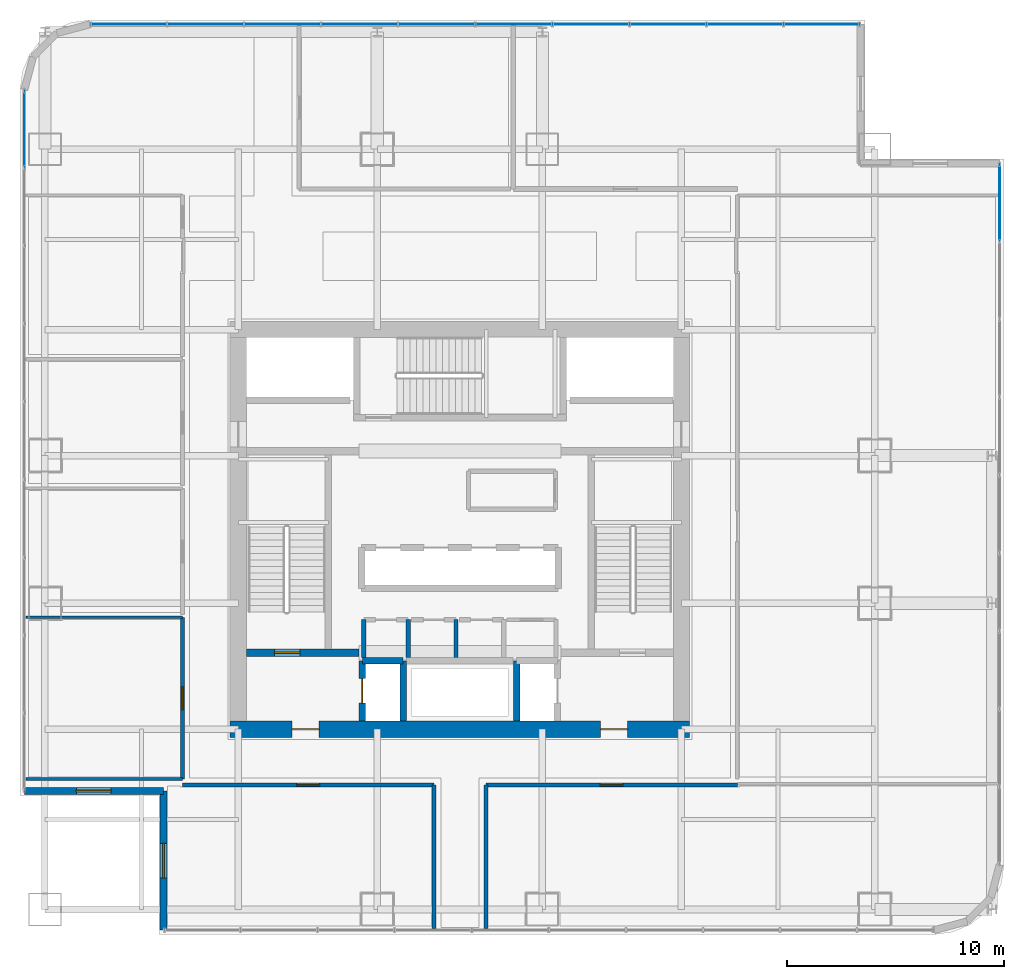
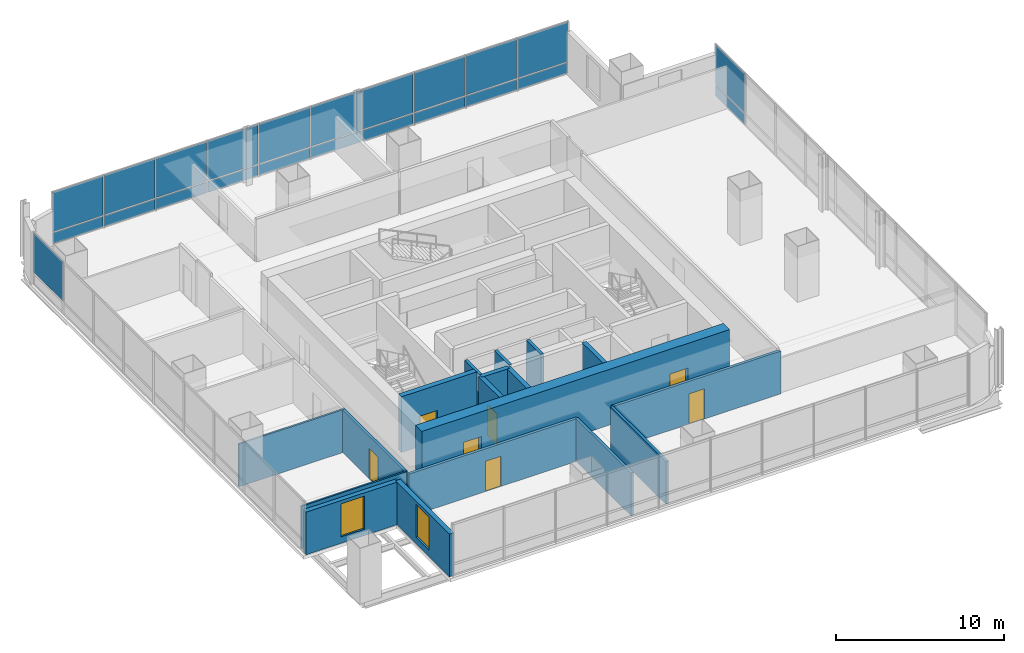
# One storey, part 27 of 34: 23 plates, 18 walls, 7 doors, 2 windows, 9 openings, 3 elements without a shape of their own.
"""IFC4 building model written with IfcOpenShell, lengths in metres."""

from ifc_helpers import new_model, si_unit, direction, frame, frame_2d, origin, origin_2d, place, context, subcontext, project, spatial, rectangle, extrude, material, layer, layer_set, type_object, element, fill, aggregate, save


model = new_model("IFC4")

# Units and contexts
model_context = context("Model", 3, precision=1e-05, world=origin(), true_north=direction((0.0, 1.0)))
body_context = subcontext(model_context, "Body", "Model", "MODEL_VIEW")
ifc_project = project(units=[si_unit("LENGTHUNIT", "METRE"), si_unit("AREAUNIT", "SQUARE_METRE"), si_unit("VOLUMEUNIT", "CUBIC_METRE"), si_unit("PLANEANGLEUNIT", "RADIAN"), si_unit("MASSUNIT", "GRAM", prefix="KILO")], contexts=[model_context])

# Site, building, storey
site_placement = place(None, origin())
site = spatial("IfcSite", under=ifc_project, at=site_placement, CompositionType="ELEMENT")
building_placement = place(site_placement, origin())
building = spatial("IfcBuilding", under=site, at=building_placement, Name="Punatoya Terracotta Tower", CompositionType="ELEMENT")
storey_placement = place(building_placement, frame((0.0, 0.0, 117.300048828125)))
storey = spatial("IfcBuildingStorey", under=building, at=storey_placement, Name="L27", CompositionType="ELEMENT", Elevation=117.300048828125)

# Curtain wall, plate
ifc_material_1 = material(Name="Aluminium 6063-T6 + Double Low-E Glass", Category="aluminium")
curtain_wall_type = type_object("IfcCurtainWallType", Name="CW-M1", PredefinedType="NOTDEFINED", material=ifc_material_1)
curtain_wall_1_placement = place(storey_placement, origin())
curtain_wall_1 = element("IfcCurtainWall", 1, at=curtain_wall_1_placement, inside=storey, type_object=curtain_wall_type, Name="L27 Curtain Wall CW-L27-E05-1", PredefinedType="NOTDEFINED")
ifc_material_2 = material(Name="Double Low-E Clear Vision Glass", Category="glass")
ifc_layer_1 = layer(ifc_material_2, 0.028076171875)
ifc_layer_set_1 = layer_set([ifc_layer_1], Name="Double Low-E Clear Vision Glass")
plate_type_1 = type_object("IfcPlateType", Name="PLT-GLZ-28", PredefinedType="CURTAIN_PANEL", material=ifc_layer_set_1)
plate_1_placement = place(storey_placement, frame((24.85009765625, 15.056396484375, 0.889892578125), z_axis=(0.0, 0.0, 1.0), x_axis=(0.0, 1.0, 0.0)))
plate_1 = element("IfcPlate", 2, at=plate_1_placement, type_object=plate_type_1, Name="CW-L27-E05-1 Vision Glass Panel 9", PredefinedType="CURTAIN_PANEL", context=body_context, shape_type="SweptSolid", body=[
    extrude(rectangle(XDim=3.50244140625, YDim=0.028076171875, at=origin_2d()), origin(), (0.0, 0.0, 1.0), 2.8798828125),
])

# Curtain wall, plates
curtain_wall_2_placement = place(storey_placement, origin())
curtain_wall_2 = element("IfcCurtainWall", 3, at=curtain_wall_2_placement, inside=storey, type_object=curtain_wall_type, Name="L27 Curtain Wall CW-L27-N08-1", PredefinedType="NOTDEFINED")
plate_2_placement = place(storey_placement, frame((16.67578125, 23.25, 0.889892578125), z_axis=(0.0, 0.0, 1.0), x_axis=(-1.0, 0.0, 0.0)))
plate_2 = element("IfcPlate", 4, at=plate_2_placement, type_object=plate_type_1, Name="CW-L27-N08-1 Vision Glass Panel 1", PredefinedType="CURTAIN_PANEL", context=body_context, shape_type="SweptSolid", body=[
    extrude(rectangle(XDim=3.463623046875, YDim=0.028076171875, at=origin_2d()), origin(), (0.0, 0.0, 1.0), 2.8798828125),
])
plate_3_placement = place(storey_placement, frame((13.126953125, 23.25, 0.889892578125), z_axis=(0.0, 0.0, 1.0), x_axis=(-1.0, 0.0, 0.0)))
plate_3 = element("IfcPlate", 5, at=plate_3_placement, type_object=plate_type_1, Name="CW-L27-N08-1 Vision Glass Panel 2", PredefinedType="CURTAIN_PANEL", context=body_context, shape_type="SweptSolid", body=[
    extrude(rectangle(XDim=3.463623046875, YDim=0.028076171875, at=origin_2d()), origin(), (0.0, 0.0, 1.0), 2.8798828125),
])
plate_4_placement = place(storey_placement, frame((9.578369140625, 23.25, 0.889892578125), z_axis=(0.0, 0.0, 1.0), x_axis=(-1.0, 0.0, 0.0)))
plate_4 = element("IfcPlate", 6, at=plate_4_placement, type_object=plate_type_1, Name="CW-L27-N08-1 Vision Glass Panel 3", PredefinedType="CURTAIN_PANEL", context=body_context, shape_type="SweptSolid", body=[
    extrude(rectangle(XDim=3.463623046875, YDim=0.028076171875, at=origin_2d()), origin(), (0.0, 0.0, 1.0), 2.8798828125),
])
plate_5_placement = place(storey_placement, frame((6.029541015625, 23.25, 0.889892578125), z_axis=(0.0, 0.0, 1.0), x_axis=(-1.0, 0.0, 0.0)))
plate_5 = element("IfcPlate", 7, at=plate_5_placement, type_object=plate_type_1, Name="CW-L27-N08-1 Vision Glass Panel 4", PredefinedType="CURTAIN_PANEL", context=body_context, shape_type="SweptSolid", body=[
    extrude(rectangle(XDim=3.463623046875, YDim=0.028076171875, at=origin_2d()), origin(), (0.0, 0.0, 1.0), 2.8798828125),
])
plate_6_placement = place(storey_placement, frame((2.48095703125, 23.25, 0.889892578125), z_axis=(0.0, 0.0, 1.0), x_axis=(-1.0, 0.0, 0.0)))
plate_6 = element("IfcPlate", 8, at=plate_6_placement, type_object=plate_type_1, Name="CW-L27-N08-1 Vision Glass Panel 5", PredefinedType="CURTAIN_PANEL", context=body_context, shape_type="SweptSolid", body=[
    extrude(rectangle(XDim=3.463623046875, YDim=0.028076171875, at=origin_2d()), origin(), (0.0, 0.0, 1.0), 2.8798828125),
])
plate_7_placement = place(storey_placement, frame((-1.06787109375, 23.25, 0.889892578125), z_axis=(0.0, 0.0, 1.0), x_axis=(-1.0, 0.0, 0.0)))
plate_7 = element("IfcPlate", 9, at=plate_7_placement, type_object=plate_type_1, Name="CW-L27-N08-1 Vision Glass Panel 6", PredefinedType="CURTAIN_PANEL", context=body_context, shape_type="SweptSolid", body=[
    extrude(rectangle(XDim=3.463623046875, YDim=0.028076171875, at=origin_2d()), origin(), (0.0, 0.0, 1.0), 2.8798828125),
])
plate_8_placement = place(storey_placement, frame((-4.616455078125, 23.25, 0.889892578125), z_axis=(0.0, 0.0, 1.0), x_axis=(-1.0, 0.0, 0.0)))
plate_8 = element("IfcPlate", 10, at=plate_8_placement, type_object=plate_type_1, Name="CW-L27-N08-1 Vision Glass Panel 7", PredefinedType="CURTAIN_PANEL", context=body_context, shape_type="SweptSolid", body=[
    extrude(rectangle(XDim=3.463623046875, YDim=0.028076171875, at=origin_2d()), origin(), (0.0, 0.0, 1.0), 2.8798828125),
])
plate_9_placement = place(storey_placement, frame((-8.165283203125, 23.25, 0.889892578125), z_axis=(0.0, 0.0, 1.0), x_axis=(-1.0, 0.0, 0.0)))
plate_9 = element("IfcPlate", 11, at=plate_9_placement, type_object=plate_type_1, Name="CW-L27-N08-1 Vision Glass Panel 8", PredefinedType="CURTAIN_PANEL", context=body_context, shape_type="SweptSolid", body=[
    extrude(rectangle(XDim=3.463623046875, YDim=0.028076171875, at=origin_2d()), origin(), (0.0, 0.0, 1.0), 2.8798828125),
])
plate_10_placement = place(storey_placement, frame((-11.7138671875, 23.25, 0.889892578125), z_axis=(0.0, 0.0, 1.0), x_axis=(-1.0, 0.0, 0.0)))
plate_10 = element("IfcPlate", 12, at=plate_10_placement, type_object=plate_type_1, Name="CW-L27-N08-1 Vision Glass Panel 9", PredefinedType="CURTAIN_PANEL", context=body_context, shape_type="SweptSolid", body=[
    extrude(rectangle(XDim=3.463623046875, YDim=0.028076171875, at=origin_2d()), origin(), (0.0, 0.0, 1.0), 2.8798828125),
])
plate_11_placement = place(storey_placement, frame((-15.2626953125, 23.25, 0.889892578125), z_axis=(0.0, 0.0, 1.0), x_axis=(-1.0, 0.0, 0.0)))
plate_11 = element("IfcPlate", 13, at=plate_11_placement, type_object=plate_type_1, Name="CW-L27-N08-1 Vision Glass Panel 10", PredefinedType="CURTAIN_PANEL", context=body_context, shape_type="SweptSolid", body=[
    extrude(rectangle(XDim=3.463623046875, YDim=0.028076171875, at=origin_2d()), origin(), (0.0, 0.0, 1.0), 2.8798828125),
])

# Curtain wall, plate
curtain_wall_3_placement = place(storey_placement, origin())
curtain_wall_3 = element("IfcCurtainWall", 14, at=curtain_wall_3_placement, inside=storey, type_object=curtain_wall_type, Name="L27 Curtain Wall CW-L27-W12-1", PredefinedType="NOTDEFINED")
plate_12_placement = place(storey_placement, frame((-20.050048828125, 18.443115234375, 0.889892578125), z_axis=(0.0, 0.0, 1.0), x_axis=(0.0, -1.0, 0.0)))
plate_12 = element("IfcPlate", 15, at=plate_12_placement, type_object=plate_type_1, Name="CW-L27-W12-1 Vision Glass Panel 1", PredefinedType="CURTAIN_PANEL", context=body_context, shape_type="SweptSolid", body=[
    extrude(rectangle(XDim=3.50244140625, YDim=0.028076171875, at=origin_2d()), origin(), (0.0, 0.0, 1.0), 2.8798828125),
])
aggregate(curtain_wall_3, [plate_12])

# Plate
ifc_material_3 = material(Name="Insulated Terracotta-Backed Spandrel Panel", Category="masonry")
ifc_layer_2 = layer(ifc_material_3, 0.044921875)
ifc_layer_set_2 = layer_set([ifc_layer_2], Name="Insulated Terracotta-Backed Spandrel Panel")
plate_type_2 = type_object("IfcPlateType", Name="PLT-SPN-45", PredefinedType="CURTAIN_PANEL", material=ifc_layer_set_2)
plate_13_placement = place(storey_placement, frame((24.85009765625, 15.056396484375, 0.0400390625), z_axis=(0.0, 0.0, 1.0), x_axis=(0.0, 1.0, 0.0)))
plate_13 = element("IfcPlate", 16, at=plate_13_placement, type_object=plate_type_2, Name="CW-L27-E05-1 Terracotta Spandrel Panel 9", PredefinedType="CURTAIN_PANEL", context=body_context, shape_type="SweptSolid", body=[
    extrude(rectangle(XDim=3.50244140625, YDim=0.044921875, at=origin_2d()), origin(), (0.0, 0.0, 1.0), 0.77490234375),
])

aggregate(curtain_wall_1, [plate_13, plate_1])

plate_14_placement = place(storey_placement, frame((16.67578125, 23.25, 0.0400390625), z_axis=(0.0, 0.0, 1.0), x_axis=(-1.0, 0.0, 0.0)))
plate_14 = element("IfcPlate", 17, at=plate_14_placement, type_object=plate_type_2, Name="CW-L27-N08-1 Terracotta Spandrel Panel 1", PredefinedType="CURTAIN_PANEL", context=body_context, shape_type="SweptSolid", body=[
    extrude(rectangle(XDim=3.463623046875, YDim=0.044921875, at=origin_2d()), origin(), (0.0, 0.0, 1.0), 0.77490234375),
])

plate_15_placement = place(storey_placement, frame((13.126953125, 23.25, 0.0400390625), z_axis=(0.0, 0.0, 1.0), x_axis=(-1.0, 0.0, 0.0)))
plate_15 = element("IfcPlate", 18, at=plate_15_placement, type_object=plate_type_2, Name="CW-L27-N08-1 Terracotta Spandrel Panel 2", PredefinedType="CURTAIN_PANEL", context=body_context, shape_type="SweptSolid", body=[
    extrude(rectangle(XDim=3.463623046875, YDim=0.044921875, at=origin_2d()), origin(), (0.0, 0.0, 1.0), 0.77490234375),
])

plate_16_placement = place(storey_placement, frame((9.578369140625, 23.25, 0.0400390625), z_axis=(0.0, 0.0, 1.0), x_axis=(-1.0, 0.0, 0.0)))
plate_16 = element("IfcPlate", 19, at=plate_16_placement, type_object=plate_type_2, Name="CW-L27-N08-1 Terracotta Spandrel Panel 3", PredefinedType="CURTAIN_PANEL", context=body_context, shape_type="SweptSolid", body=[
    extrude(rectangle(XDim=3.463623046875, YDim=0.044921875, at=origin_2d()), origin(), (0.0, 0.0, 1.0), 0.77490234375),
])

plate_17_placement = place(storey_placement, frame((6.029541015625, 23.25, 0.0400390625), z_axis=(0.0, 0.0, 1.0), x_axis=(-1.0, 0.0, 0.0)))
plate_17 = element("IfcPlate", 20, at=plate_17_placement, type_object=plate_type_2, Name="CW-L27-N08-1 Terracotta Spandrel Panel 4", PredefinedType="CURTAIN_PANEL", context=body_context, shape_type="SweptSolid", body=[
    extrude(rectangle(XDim=3.463623046875, YDim=0.044921875, at=origin_2d()), origin(), (0.0, 0.0, 1.0), 0.77490234375),
])

plate_18_placement = place(storey_placement, frame((2.48095703125, 23.25, 0.0400390625), z_axis=(0.0, 0.0, 1.0), x_axis=(-1.0, 0.0, 0.0)))
plate_18 = element("IfcPlate", 21, at=plate_18_placement, type_object=plate_type_2, Name="CW-L27-N08-1 Terracotta Spandrel Panel 5", PredefinedType="CURTAIN_PANEL", context=body_context, shape_type="SweptSolid", body=[
    extrude(rectangle(XDim=3.463623046875, YDim=0.044921875, at=origin_2d()), origin(), (0.0, 0.0, 1.0), 0.77490234375),
])

plate_19_placement = place(storey_placement, frame((-1.06787109375, 23.25, 0.0400390625), z_axis=(0.0, 0.0, 1.0), x_axis=(-1.0, 0.0, 0.0)))
plate_19 = element("IfcPlate", 22, at=plate_19_placement, type_object=plate_type_2, Name="CW-L27-N08-1 Terracotta Spandrel Panel 6", PredefinedType="CURTAIN_PANEL", context=body_context, shape_type="SweptSolid", body=[
    extrude(rectangle(XDim=3.463623046875, YDim=0.044921875, at=origin_2d()), origin(), (0.0, 0.0, 1.0), 0.77490234375),
])

plate_20_placement = place(storey_placement, frame((-4.616455078125, 23.25, 0.0400390625), z_axis=(0.0, 0.0, 1.0), x_axis=(-1.0, 0.0, 0.0)))
plate_20 = element("IfcPlate", 23, at=plate_20_placement, type_object=plate_type_2, Name="CW-L27-N08-1 Terracotta Spandrel Panel 7", PredefinedType="CURTAIN_PANEL", context=body_context, shape_type="SweptSolid", body=[
    extrude(rectangle(XDim=3.463623046875, YDim=0.044921875, at=origin_2d()), origin(), (0.0, 0.0, 1.0), 0.77490234375),
])

plate_21_placement = place(storey_placement, frame((-8.165283203125, 23.25, 0.0400390625), z_axis=(0.0, 0.0, 1.0), x_axis=(-1.0, 0.0, 0.0)))
plate_21 = element("IfcPlate", 24, at=plate_21_placement, type_object=plate_type_2, Name="CW-L27-N08-1 Terracotta Spandrel Panel 8", PredefinedType="CURTAIN_PANEL", context=body_context, shape_type="SweptSolid", body=[
    extrude(rectangle(XDim=3.463623046875, YDim=0.044921875, at=origin_2d()), origin(), (0.0, 0.0, 1.0), 0.77490234375),
])

plate_22_placement = place(storey_placement, frame((-11.7138671875, 23.25, 0.0400390625), z_axis=(0.0, 0.0, 1.0), x_axis=(-1.0, 0.0, 0.0)))
plate_22 = element("IfcPlate", 25, at=plate_22_placement, type_object=plate_type_2, Name="CW-L27-N08-1 Terracotta Spandrel Panel 9", PredefinedType="CURTAIN_PANEL", context=body_context, shape_type="SweptSolid", body=[
    extrude(rectangle(XDim=3.463623046875, YDim=0.044921875, at=origin_2d()), origin(), (0.0, 0.0, 1.0), 0.77490234375),
])

plate_23_placement = place(storey_placement, frame((-15.2626953125, 23.25, 0.0400390625), z_axis=(0.0, 0.0, 1.0), x_axis=(-1.0, 0.0, 0.0)))
plate_23 = element("IfcPlate", 26, at=plate_23_placement, type_object=plate_type_2, Name="CW-L27-N08-1 Terracotta Spandrel Panel 10", PredefinedType="CURTAIN_PANEL", context=body_context, shape_type="SweptSolid", body=[
    extrude(rectangle(XDim=3.463623046875, YDim=0.044921875, at=origin_2d()), origin(), (0.0, 0.0, 1.0), 0.77490234375),
])

aggregate(curtain_wall_2, [plate_14, plate_2, plate_15, plate_3, plate_16, plate_4, plate_17, plate_5, plate_18, plate_6, plate_19, plate_7, plate_20, plate_8, plate_21, plate_9, plate_22, plate_10, plate_23, plate_11])

# Wall, openings, doors
ifc_material_4 = material(Name="Concrete C60/75", Category="concrete")
ifc_layer_3 = layer(ifc_material_4, 0.75)
ifc_layer_set_3 = layer_set([ifc_layer_3], Name="Concrete C60/75")
wall_type_1 = type_object("IfcWallType", Name="WL-COR-750", PredefinedType="SHEAR", material=ifc_layer_set_3)
wall_1_placement = place(storey_placement, frame((10.574951171875, -9.199951171875, 0.0), z_axis=(0.0, 0.0, 1.0), x_axis=(-1.0, 0.0, 0.0)))
wall_1 = element("IfcWall", 27, at=wall_1_placement, inside=storey, type_object=wall_type_1, Name="L27 Core Shear Wall S", PredefinedType="SHEAR", context=body_context, shape_type="SweptSolid", body=[
    extrude(rectangle(XDim=21.14990234375, YDim=0.75, at=frame_2d((10.574951171875, 0.0))), origin(), (0.0, 0.0, 1.0), 4.050048828125),
])
opening_1_placement = place(wall_1_placement, frame((2.85009765625, 0.0, 0.0)))
opening_1 = element("IfcOpeningElement", 28, at=opening_1_placement, cuts=wall_1, Name="Opening FD-L1", PredefinedType="OPENING", context=body_context, shape_type="SweptSolid", body=[
    extrude(rectangle(XDim=1.25, YDim=2.25, at=frame_2d((0.625, 1.125))), frame((0.0, 0.385009765625, 0.0), z_axis=(0.0, -1.0, 0.0), x_axis=(1.0, 0.0, 0.0)), (0.0, 0.0, 1.0), 0.77001953125),
])
opening_2_placement = place(wall_1_placement, frame((17.050048828125, 0.0, 0.0)))
opening_2 = element("IfcOpeningElement", 29, at=opening_2_placement, cuts=wall_1, Name="Opening FD-L1", PredefinedType="OPENING", context=body_context, shape_type="SweptSolid", body=[
    extrude(rectangle(XDim=1.25, YDim=2.25, at=frame_2d((0.625, 1.125))), frame((0.0, 0.385009765625, 0.0), z_axis=(0.0, -1.0, 0.0), x_axis=(1.0, 0.0, 0.0)), (0.0, 0.0, 1.0), 0.77001953125),
])
ifc_material_5 = material(Name="Galvanised Steel Smokeproof Fire Door", Category="steel")
door_type_1 = type_object("IfcDoorType", Name="DR-FFL-1250", OperationType="NOTDEFINED", PredefinedType="DOOR", material=ifc_material_5)
door_1_placement = place(opening_1_placement, origin())
door_1 = element("IfcDoor", 30, at=door_1_placement, inside=storey, type_object=door_type_1, Name="L27 East Firefighting Lobby Corridor Fire Door", OperationType="SINGLE_SWING_LEFT", OverallHeight=2.25, OverallWidth=1.25, PredefinedType="DOOR", context=body_context, shape_type="SweptSolid", body=[
    extrude(rectangle(XDim=1.25, YDim=2.25, at=frame_2d((0.625, 1.125))), frame((0.0, 0.02490234375, 0.0), z_axis=(0.0, -1.0, 0.0), x_axis=(1.0, 0.0, 0.0)), (0.0, 0.0, 1.0), 0.050048828125),
])
fill(opening_1, door_1)
door_2_placement = place(opening_2_placement, origin())
door_2 = element("IfcDoor", 31, at=door_2_placement, inside=storey, type_object=door_type_1, Name="L27 West Firefighting Lobby Corridor Fire Door", OperationType="SINGLE_SWING_RIGHT", OverallHeight=2.25, OverallWidth=1.25, PredefinedType="DOOR", context=body_context, shape_type="SweptSolid", body=[
    extrude(rectangle(XDim=1.25, YDim=2.25, at=frame_2d((0.625, 1.125))), frame((0.0, 0.02490234375, 0.0), z_axis=(0.0, -1.0, 0.0), x_axis=(1.0, 0.0, 0.0)), (0.0, 0.0, 1.0), 0.050048828125),
])
fill(opening_2, door_2)

# Wall, opening, door
ifc_material_6 = material(Name="Gypsum Fireboard + Steel Stud", Category="steel")
ifc_layer_4 = layer(ifc_material_6, 0.179931640625)
ifc_layer_set_4 = layer_set([ifc_layer_4], Name="Gypsum Fireboard + Steel Stud")
wall_type_2 = type_object("IfcWallType", Name="WL-CORR-180", PredefinedType="PARTITIONING", material=ifc_layer_set_4)
wall_2_placement = place(storey_placement, frame((-12.77001953125, -11.77001953125, 0.0), z_axis=(0.0, 0.0, 1.0), x_axis=(1.0, 0.0, 0.0)))
wall_2 = element("IfcWall", 32, at=wall_2_placement, inside=storey, type_object=wall_type_2, Name="L27 Open-Plan Computational Simulation Laboratory Partition 14", PredefinedType="PARTITIONING", context=body_context, shape_type="SweptSolid", body=[
    extrude(rectangle(XDim=11.570068359375, YDim=0.179931640625, at=frame_2d((5.78515625, 0.0))), origin(), (0.0, 0.0, 1.0), 3.10400390625),
])
opening_3_placement = place(wall_2_placement, frame((5.260009765625, 0.0, 0.0)))
opening_3 = element("IfcOpeningElement", 33, at=opening_3_placement, cuts=wall_2, Name="Opening OD-01", PredefinedType="OPENING", context=body_context, shape_type="SweptSolid", body=[
    extrude(rectangle(XDim=1.050048828125, YDim=2.199951171875, at=frame_2d((0.52490234375, 1.10009765625))), frame((0.0, 0.099853515625, 0.0), z_axis=(0.0, -1.0, 0.0), x_axis=(1.0, 0.0, 0.0)), (0.0, 0.0, 1.0), 0.199951171875),
])
ifc_material_7 = material(Name="Bengal Teak Solid-Core Leaf")
door_type_2 = type_object("IfcDoorType", Name="DR-OFF-1050", OperationType="NOTDEFINED", PredefinedType="DOOR", material=ifc_material_7)
door_3_placement = place(opening_3_placement, origin())
door_3 = element("IfcDoor", 34, at=door_3_placement, inside=storey, type_object=door_type_2, Name="L27 Open-Plan Computational Simulation Laboratory Door", OperationType="SINGLE_SWING_LEFT", OverallHeight=2.199951171875, OverallWidth=1.050048828125, PredefinedType="DOOR", context=body_context, shape_type="SweptSolid", body=[
    extrude(rectangle(XDim=1.050048828125, YDim=2.199951171875, at=frame_2d((0.52490234375, 1.10009765625))), frame((0.0, 0.02490234375, 0.0), z_axis=(0.0, -1.0, 0.0), x_axis=(1.0, 0.0, 0.0)), (0.0, 0.0, 1.0), 0.050048828125),
])
fill(opening_3, door_3)

# Wall
wall_3_placement = place(storey_placement, frame((-1.199951171875, -11.77001953125, 0.0), z_axis=(0.0, 0.0, 1.0), x_axis=(0.0, -1.0, 0.0)))
element("IfcWall", 35, at=wall_3_placement, inside=storey, type_object=wall_type_2, Name="L27 Open-Plan Computational Simulation Laboratory Partition 15", PredefinedType="PARTITIONING", context=body_context, shape_type="SweptSolid", body=[
    extrude(rectangle(XDim=6.60009765625, YDim=0.179931640625, at=frame_2d((3.300048828125, 0.0))), origin(), (0.0, 0.0, 1.0), 3.10400390625),
])

# Wall, opening, door
wall_4_placement = place(storey_placement, frame((1.199951171875, -11.77001953125, 0.0), z_axis=(0.0, 0.0, 1.0), x_axis=(1.0, 0.0, 0.0)))
wall_4 = element("IfcWall", 36, at=wall_4_placement, inside=storey, type_object=wall_type_2, Name="L27 Cartography Reference Library Partition 16", PredefinedType="PARTITIONING", context=body_context, shape_type="SweptSolid", body=[
    extrude(rectangle(XDim=11.570068359375, YDim=0.179931640625, at=frame_2d((5.78515625, 0.0))), origin(), (0.0, 0.0, 1.0), 3.10400390625),
])
opening_4_placement = place(wall_4_placement, frame((5.260009765625, 0.0, 0.0)))
opening_4 = element("IfcOpeningElement", 37, at=opening_4_placement, cuts=wall_4, Name="Opening OD-01", PredefinedType="OPENING", context=body_context, shape_type="SweptSolid", body=[
    extrude(rectangle(XDim=1.050048828125, YDim=2.199951171875, at=frame_2d((0.52490234375, 1.10009765625))), frame((0.0, 0.099853515625, 0.0), z_axis=(0.0, -1.0, 0.0), x_axis=(1.0, 0.0, 0.0)), (0.0, 0.0, 1.0), 0.199951171875),
])
door_4_placement = place(opening_4_placement, origin())
door_4 = element("IfcDoor", 38, at=door_4_placement, inside=storey, type_object=door_type_2, Name="L27 Cartography Reference Library Door", OperationType="SINGLE_SWING_RIGHT", OverallHeight=2.199951171875, OverallWidth=1.050048828125, PredefinedType="DOOR", context=body_context, shape_type="SweptSolid", body=[
    extrude(rectangle(XDim=1.050048828125, YDim=2.199951171875, at=frame_2d((0.52490234375, 1.10009765625))), frame((0.0, 0.02490234375, 0.0), z_axis=(0.0, -1.0, 0.0), x_axis=(1.0, 0.0, 0.0)), (0.0, 0.0, 1.0), 0.050048828125),
])
fill(opening_4, door_4)

# Wall
wall_5_placement = place(storey_placement, frame((1.199951171875, -18.3701171875, 0.0), z_axis=(0.0, 0.0, 1.0), x_axis=(0.0, 1.0, 0.0)))
element("IfcWall", 39, at=wall_5_placement, inside=storey, type_object=wall_type_2, Name="L27 Cartography Reference Library Partition 18", PredefinedType="PARTITIONING", context=body_context, shape_type="SweptSolid", body=[
    extrude(rectangle(XDim=6.60009765625, YDim=0.179931640625, at=frame_2d((3.300048828125, 0.0))), origin(), (0.0, 0.0, 1.0), 3.10400390625),
])

# Wall, opening, door
wall_6_placement = place(storey_placement, frame((-12.77001953125, -4.050048828125, 0.0), z_axis=(0.0, 0.0, 1.0), x_axis=(0.0, -1.0, 0.0)))
wall_6 = element("IfcWall", 40, at=wall_6_placement, inside=storey, type_object=wall_type_2, Name="L27 Materials Testing Laboratory Partition 20", PredefinedType="PARTITIONING", context=body_context, shape_type="SweptSolid", body=[
    extrude(rectangle(XDim=7.43994140625, YDim=0.179931640625, at=frame_2d((3.719970703125, 0.0))), origin(), (0.0, 0.0, 1.0), 3.10400390625),
])
opening_5_placement = place(wall_6_placement, frame((3.195068359375, 0.0, 0.0)))
opening_5 = element("IfcOpeningElement", 41, at=opening_5_placement, cuts=wall_6, Name="Opening OD-01", PredefinedType="OPENING", context=body_context, shape_type="SweptSolid", body=[
    extrude(rectangle(XDim=1.050048828125, YDim=2.199951171875, at=frame_2d((0.52490234375, 1.10009765625))), frame((0.0, 0.099853515625, 0.0), z_axis=(0.0, -1.0, 0.0), x_axis=(1.0, 0.0, 0.0)), (0.0, 0.0, 1.0), 0.199951171875),
])
door_5_placement = place(opening_5_placement, origin())
door_5 = element("IfcDoor", 42, at=door_5_placement, inside=storey, type_object=door_type_2, Name="L27 Materials Testing Laboratory Door", OperationType="SINGLE_SWING_LEFT", OverallHeight=2.199951171875, OverallWidth=1.050048828125, PredefinedType="DOOR", context=body_context, shape_type="SweptSolid", body=[
    extrude(rectangle(XDim=1.050048828125, YDim=2.199951171875, at=frame_2d((0.52490234375, 1.10009765625))), frame((0.0, 0.02490234375, 0.0), z_axis=(0.0, -1.0, 0.0), x_axis=(1.0, 0.0, 0.0)), (0.0, 0.0, 1.0), 0.050048828125),
])
fill(opening_5, door_5)

# Wall, opening, window
ifc_material_8 = material(Name="Precast concrete C40/50", Category="concrete")
ifc_layer_5 = layer(ifc_material_8, 0.320068359375)
ifc_layer_set_5 = layer_set([ifc_layer_5], Name="Precast concrete C40/50")
wall_type_3 = type_object("IfcWallType", Name="WL-EXT-320", PredefinedType="SOLIDWALL", material=ifc_layer_set_5)
wall_7_placement = place(storey_placement, frame((-20.050048828125, -12.050048828125, 0.0), z_axis=(0.0, 0.0, 1.0), x_axis=(1.0, 0.0, 0.0)))
wall_7 = element("IfcWall", 43, at=wall_7_placement, inside=storey, type_object=wall_type_3, Name="L27 Recessed Corner-Slot Terracotta Wall 13", PredefinedType="SOLIDWALL", context=body_context, shape_type="SweptSolid", body=[
    extrude(rectangle(XDim=6.400146484375, YDim=0.320068359375, at=frame_2d((3.2001953125, 0.0))), origin(), (0.0, 0.0, 1.0), 3.10400390625),
])
opening_6_placement = place(wall_7_placement, frame((2.39990234375, 0.0, 0.464111328125)))
opening_6 = element("IfcOpeningElement", 44, at=opening_6_placement, cuts=wall_7, Name="Opening WN-03", PredefinedType="OPENING", context=body_context, shape_type="SweptSolid", body=[
    extrude(rectangle(XDim=1.60009765625, YDim=2.39990234375, at=frame_2d((0.800048828125, 1.199951171875))), frame((0.0, 0.169921875, 0.0), z_axis=(0.0, -1.0, 0.0), x_axis=(1.0, 0.0, 0.0)), (0.0, 0.0, 1.0), 0.340087890625),
])
window_type = type_object("IfcWindowType", Name="WIN-OFF-1600", PartitioningType="SINGLE_PANEL", PredefinedType="WINDOW", material=ifc_material_1)
window_1_placement = place(opening_6_placement, origin())
window_1 = element("IfcWindow", 45, at=window_1_placement, inside=storey, type_object=window_type, Name="L27 Corner-Slot Punched Window 13", OverallHeight=2.39990234375, OverallWidth=1.60009765625, PartitioningType="SINGLE_PANEL", PredefinedType="WINDOW", context=body_context, shape_type="SweptSolid", body=[
    extrude(rectangle(XDim=1.60009765625, YDim=2.39990234375, at=frame_2d((0.800048828125, 1.199951171875))), frame((0.0, 0.030029296875, 0.0), z_axis=(0.0, -1.0, 0.0), x_axis=(1.0, 0.0, 0.0)), (0.0, 0.0, 1.0), 0.06005859375),
])
fill(opening_6, window_1)

wall_8_placement = place(storey_placement, frame((-13.64990234375, -12.050048828125, 0.0), z_axis=(0.0, 0.0, 1.0), x_axis=(0.0, -1.0, 0.0)))
wall_8 = element("IfcWall", 46, at=wall_8_placement, inside=storey, type_object=wall_type_3, Name="L27 Recessed Corner-Slot Terracotta Wall 14", PredefinedType="SOLIDWALL", context=body_context, shape_type="SweptSolid", body=[
    extrude(rectangle(XDim=6.39990234375, YDim=0.320068359375, at=frame_2d((3.199951171875, 0.0))), origin(), (0.0, 0.0, 1.0), 3.10400390625),
])
opening_7_placement = place(wall_8_placement, frame((2.39990234375, 0.0, 0.464111328125)))
opening_7 = element("IfcOpeningElement", 47, at=opening_7_placement, cuts=wall_8, Name="Opening WN-03", PredefinedType="OPENING", context=body_context, shape_type="SweptSolid", body=[
    extrude(rectangle(XDim=1.60009765625, YDim=2.39990234375, at=frame_2d((0.800048828125, 1.199951171875))), frame((0.0, 0.169921875, 0.0), z_axis=(0.0, -1.0, 0.0), x_axis=(1.0, 0.0, 0.0)), (0.0, 0.0, 1.0), 0.340087890625),
])
window_2_placement = place(opening_7_placement, origin())
window_2 = element("IfcWindow", 48, at=window_2_placement, inside=storey, type_object=window_type, Name="L27 Corner-Slot Punched Window 14", OverallHeight=2.39990234375, OverallWidth=1.60009765625, PartitioningType="SINGLE_PANEL", PredefinedType="WINDOW", context=body_context, shape_type="SweptSolid", body=[
    extrude(rectangle(XDim=1.60009765625, YDim=2.39990234375, at=frame_2d((0.800048828125, 1.199951171875))), frame((0.0, 0.030029296875, 0.0), z_axis=(0.0, -1.0, 0.0), x_axis=(1.0, 0.0, 0.0)), (0.0, 0.0, 1.0), 0.06005859375),
])
fill(opening_7, window_2)

# Walls
ifc_material_9 = material(Name="Concrete C40/50", Category="concrete")
ifc_layer_6 = layer(ifc_material_9, 0.199951171875)
ifc_layer_set_6 = layer_set([ifc_layer_6], Name="Concrete C40/50")
wall_type_4 = type_object("IfcWallType", Name="WL-INT-200", PredefinedType="SOLIDWALL", material=ifc_layer_set_6)
for number, where, z_axis, x_axis, name in (
    (49, (-2.3798828125, -5.89990234375, 0.0), (0.0, 0.0, 1.0), (0.0, 1.0, 0.0), "L27 Male Washroom Partition 01"),
    (50, (-4.419921875, -4.159912109375, 0.0), (0.0, 0.0, 1.0), (0.0, -1.0, 0.0), "L27 Male Washroom Partition 03"),
    (51, (-0.179931640625, -5.89990234375, 0.0), (0.0, 0.0, 1.0), (0.0, 1.0, 0.0), "L27 Female Washroom Partition 04"),
):
    element("IfcWall", number, at=place(storey_placement, frame(where, z_axis=z_axis, x_axis=x_axis)), inside=storey, type_object=wall_type_4, Name=name, PredefinedType="SOLIDWALL", context=body_context, shape_type="SweptSolid", body=[
        extrude(rectangle(XDim=1.739990234375, YDim=0.199951171875, at=frame_2d((0.8701171875, 0.0))), origin(), (0.0, 0.0, 1.0), 3.81005859375),
    ])
ifc_material_10 = material(Name="Gypsum Partition + Steel Stud", Category="steel")
ifc_layer_7 = layer(ifc_material_10, 0.1201171875)
ifc_layer_set_7 = layer_set([ifc_layer_7], Name="Gypsum Partition + Steel Stud")
wall_type_5 = type_object("IfcWallType", Name="WL-OFF-120", PredefinedType="PARTITIONING", material=ifc_layer_set_7)
for number, where, z_axis, x_axis, name in (
    (52, (-19.969970703125, -4.050048828125, 0.0), (0.0, 0.0, 1.0), (1.0, 0.0, 0.0), "L27 Materials Testing Laboratory Partition 19"),
    (53, (-12.77001953125, -11.489990234375, 0.0), (0.0, 0.0, 1.0), (-1.0, 0.0, 0.0), "L27 Materials Testing Laboratory Partition 21"),
):
    element("IfcWall", number, at=place(storey_placement, frame(where, z_axis=z_axis, x_axis=x_axis)), inside=storey, type_object=wall_type_5, Name=name, PredefinedType="PARTITIONING", context=body_context, shape_type="SweptSolid", body=[
        extrude(rectangle(XDim=7.199951171875, YDim=0.1201171875, at=frame_2d((3.60009765625, 0.0))), origin(), (0.0, 0.0, 1.0), 3.10400390625),
    ])

# Wall, opening, door
ifc_layer_8 = layer(ifc_material_9, 0.300048828125)
ifc_layer_set_8 = layer_set([ifc_layer_8], Name="Concrete C40/50")
wall_type_6 = type_object("IfcWallType", Name="WL-SHF-300", PredefinedType="SOLIDWALL", material=ifc_layer_set_8)
wall_9_placement = place(storey_placement, frame((-4.489990234375, -8.820068359375, 0.0), z_axis=(0.0, 0.0, 1.0), x_axis=(0.0, 1.0, 0.0)))
wall_9 = element("IfcWall", 54, at=wall_9_placement, inside=storey, type_object=wall_type_6, Name="L27 FFL-1 Front Hoistway Wall", PredefinedType="SOLIDWALL", context=body_context, shape_type="SweptSolid", body=[
    extrude(rectangle(XDim=2.77001953125, YDim=0.300048828125, at=frame_2d((1.385009765625, 0.0))), origin(), (0.0, 0.0, 1.0), 3.81005859375),
])
opening_8_placement = place(wall_9_placement, frame((0.824951171875, 0.0, 0.0)))
opening_8 = element("IfcOpeningElement", 55, at=opening_8_placement, cuts=wall_9, Name="Opening LD-02", PredefinedType="OPENING", context=body_context, shape_type="SweptSolid", body=[
    extrude(rectangle(XDim=1.1201171875, YDim=2.25, at=frame_2d((0.56005859375, 1.125))), frame((0.0, 0.159912109375, 0.0), z_axis=(0.0, -1.0, 0.0), x_axis=(1.0, 0.0, 0.0)), (0.0, 0.0, 1.0), 0.320068359375),
])
ifc_material_11 = material(Name="Stainless Steel Lift Landing Door", Category="steel")
door_type_3 = type_object("IfcDoorType", Name="DR-LND-1120", OperationType="NOTDEFINED", PredefinedType="DOOR", material=ifc_material_11)
door_6_placement = place(opening_8_placement, origin())
door_6 = element("IfcDoor", 56, at=door_6_placement, inside=storey, type_object=door_type_3, Name="L27 Firefighting Lift FFL-1 Sliding Landing Door", OperationType="SLIDING_TO_LEFT", OverallHeight=2.25, OverallWidth=1.1201171875, PredefinedType="DOOR", context=body_context, shape_type="SweptSolid", body=[
    extrude(rectangle(XDim=1.1201171875, YDim=2.25, at=frame_2d((0.56005859375, 1.125))), frame((0.0, 0.02490234375, 0.0), z_axis=(0.0, -1.0, 0.0), x_axis=(1.0, 0.0, 0.0)), (0.0, 0.0, 1.0), 0.050048828125),
])
fill(opening_8, door_6)

# Walls
wall_10_placement = place(storey_placement, frame((-2.610107421875, -8.820068359375, 0.0), z_axis=(0.0, 0.0, 1.0), x_axis=(0.0, 1.0, 0.0)))
element("IfcWall", 57, at=wall_10_placement, inside=storey, type_object=wall_type_6, Name="L27 FFL-1 Rear Hoistway Wall", PredefinedType="SOLIDWALL", context=body_context, shape_type="SweptSolid", body=[
    extrude(rectangle(XDim=2.77001953125, YDim=0.300048828125, at=frame_2d((1.385009765625, 0.0))), origin(), (0.0, 0.0, 1.0), 3.81005859375),
])
wall_11_placement = place(storey_placement, frame((-4.489990234375, -6.050048828125, 0.0), z_axis=(0.0, 0.0, 1.0), x_axis=(1.0, 0.0, 0.0)))
element("IfcWall", 58, at=wall_11_placement, inside=storey, type_object=wall_type_6, Name="L27 FFL-1 North Hoistway Wall", PredefinedType="SOLIDWALL", context=body_context, shape_type="SweptSolid", body=[
    extrude(rectangle(XDim=1.8798828125, YDim=0.300048828125, at=frame_2d((0.93994140625, 0.0))), origin(), (0.0, 0.0, 1.0), 3.81005859375),
])
wall_12_placement = place(storey_placement, frame((2.610107421875, -8.820068359375, 0.0), z_axis=(0.0, 0.0, 1.0), x_axis=(0.0, 1.0, 0.0)))
element("IfcWall", 59, at=wall_12_placement, inside=storey, type_object=wall_type_6, Name="L27 FFL-2 Rear Hoistway Wall", PredefinedType="SOLIDWALL", context=body_context, shape_type="SweptSolid", body=[
    extrude(rectangle(XDim=2.77001953125, YDim=0.300048828125, at=frame_2d((1.385009765625, 0.0))), origin(), (0.0, 0.0, 1.0), 3.81005859375),
])

# Wall, opening, door
ifc_material_12 = material(Name="Concrete C50/60", Category="concrete")
ifc_layer_9 = layer(ifc_material_12, 0.35009765625)
ifc_layer_set_9 = layer_set([ifc_layer_9], Name="Concrete C50/60")
wall_type_7 = type_object("IfcWallType", Name="WL-SHF-350", PredefinedType="SOLIDWALL", material=ifc_layer_set_9)
wall_13_placement = place(storey_placement, frame((-9.824951171875, -5.679931640625, 0.0), z_axis=(0.0, 0.0, 1.0), x_axis=(1.0, 0.0, 0.0)))
wall_13 = element("IfcWall", 60, at=wall_13_placement, inside=storey, type_object=wall_type_7, Name="L27 Core Web Wall CSW-L", PredefinedType="SOLIDWALL", context=body_context, shape_type="SweptSolid", body=[
    extrude(rectangle(XDim=5.175048828125, YDim=0.35009765625, at=frame_2d((2.58740234375, 0.0))), origin(), (0.0, 0.0, 1.0), 4.050048828125),
])
opening_9_placement = place(wall_13_placement, frame((1.284912109375, 0.0, 0.0)))
opening_9 = element("IfcOpeningElement", 61, at=opening_9_placement, cuts=wall_13, Name="Opening SD-01", PredefinedType="OPENING", context=body_context, shape_type="SweptSolid", body=[
    extrude(rectangle(XDim=1.179931640625, YDim=2.199951171875, at=frame_2d((0.58984375, 1.10009765625))), frame((0.0, 0.18505859375, 0.0), z_axis=(0.0, -1.0, 0.0), x_axis=(1.0, 0.0, 0.0)), (0.0, 0.0, 1.0), 0.3701171875),
])
ifc_material_13 = material(Name="Galvanised Steel Pressurized Stair Fire Door", Category="steel")
door_type_4 = type_object("IfcDoorType", Name="DR-STR-1180", OperationType="NOTDEFINED", PredefinedType="DOOR", material=ifc_material_13)
door_7_placement = place(opening_9_placement, origin())
door_7 = element("IfcDoor", 62, at=door_7_placement, inside=storey, type_object=door_type_4, Name="L27 Stair ST-1 Smokeproof Lobby Fire Door", OperationType="SINGLE_SWING_LEFT", OverallHeight=2.199951171875, OverallWidth=1.179931640625, PredefinedType="DOOR", context=body_context, shape_type="SweptSolid", body=[
    extrude(rectangle(XDim=1.179931640625, YDim=2.199951171875, at=frame_2d((0.58984375, 1.10009765625))), frame((0.0, 0.02490234375, 0.0), z_axis=(0.0, -1.0, 0.0), x_axis=(1.0, 0.0, 0.0)), (0.0, 0.0, 1.0), 0.050048828125),
])
fill(opening_9, door_7)

save(model, "model.ifc")
